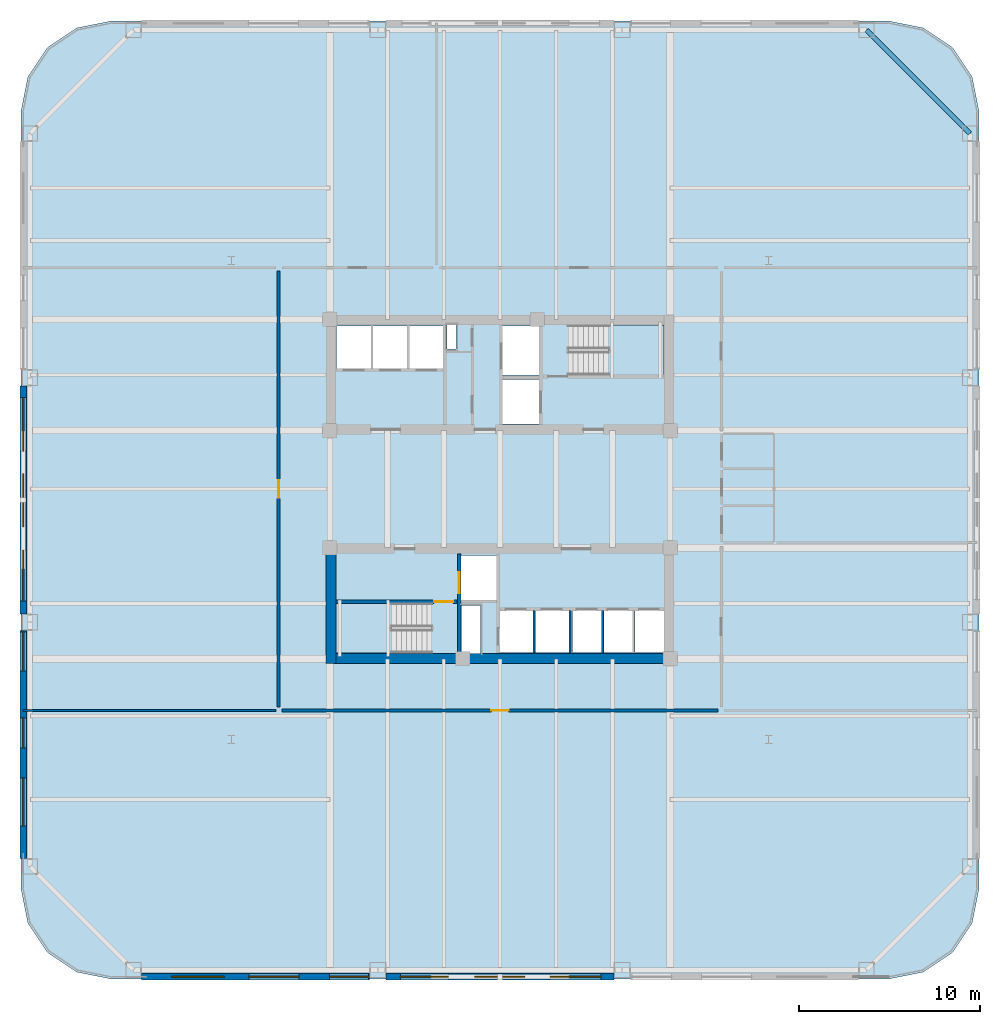
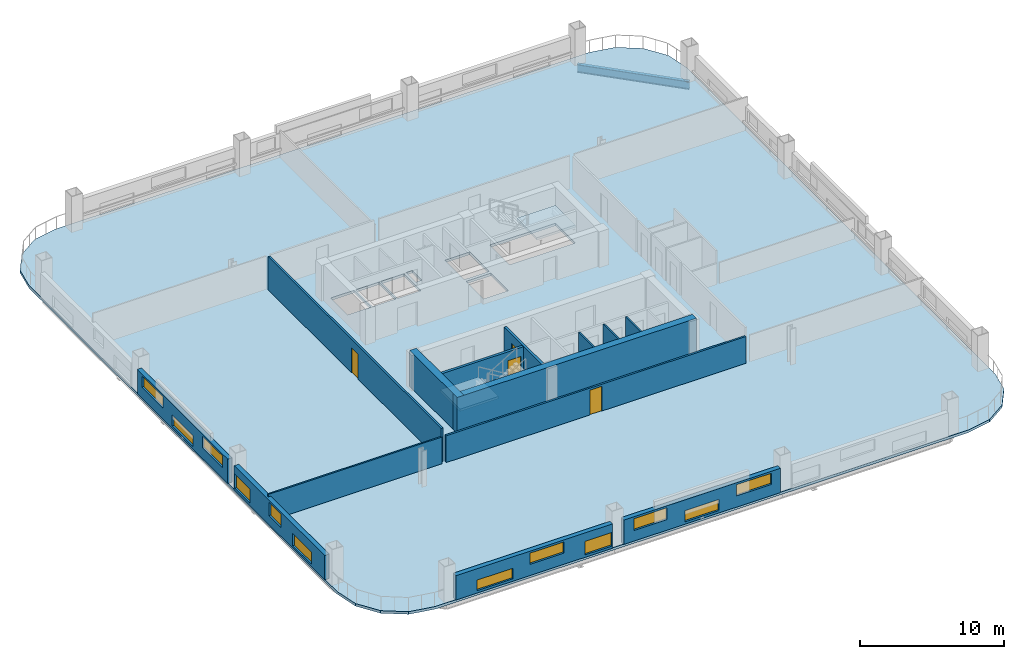
# One storey, part 2 of 11: 14 walls, 12 windows, 4 doors, 3 slabs, 1 beam, 16 openings, 2 elements without a shape of their own.
"""IFC4 building model written with IfcOpenShell, lengths in metres."""

from ifc_helpers import new_model, si_unit, direction, frame, frame_2d, origin, origin_2d, place, context, subcontext, project, spatial, polyline, rectangle, i_section, outline, extrude, material, layer, layer_set, material_profile, profile_set, type_object, element, fill, aggregate, save


model = new_model("IFC4")

# Units and contexts
model_context = context("Model", 3, precision=1e-05, world=origin(), true_north=direction((0.0, 1.0)))
body_context = subcontext(model_context, "Body", "Model", "MODEL_VIEW")
ifc_project = project(units=[si_unit("LENGTHUNIT", "METRE"), si_unit("AREAUNIT", "SQUARE_METRE"), si_unit("VOLUMEUNIT", "CUBIC_METRE"), si_unit("PLANEANGLEUNIT", "RADIAN"), si_unit("MASSUNIT", "GRAM", prefix="KILO")], contexts=[model_context])

# Site, building, storey
site_placement = place(None, origin())
site = spatial("IfcSite", under=ifc_project, at=site_placement, CompositionType="ELEMENT")
building_placement = place(site_placement, origin())
building = spatial("IfcBuilding", under=site, at=building_placement, Name="Qhalaya Broadcast Tower", CompositionType="ELEMENT")
storey_placement = place(building_placement, frame((0.0, 0.0, 29.14990234375)))
storey = spatial("IfcBuildingStorey", under=building, at=storey_placement, Name="L07", CompositionType="ELEMENT", Elevation=29.14990234375)

# Beam
ifc_material_1 = material(Name="Structural Steel ASTM A992 Grade 50", Category="steel")
ifc_material_profile = material_profile(ifc_material_1, i_section(OverallWidth=0.25390625, OverallDepth=0.68310546875, WebThickness=0.012451171875, FlangeThickness=0.01904296875, at=origin_2d()), Name="W27X94")
ifc_profile_set = profile_set([ifc_material_profile], Name="Structural Steel ASTM A992 Grade 50")
beam_type = type_object("IfcBeamType", Name="Perimeter Ring Spandrel Beam SP1", PredefinedType="SPANDREL", material=ifc_profile_set)
beam_placement = place(storey_placement, frame((25.89990234375, 20.199951171875, -0.5615234375), z_axis=(-0.707106781187, 0.707106781187, 0.0), x_axis=(-0.707106781187, -0.707106781187, 0.0)))
element("IfcBeam", 1, at=beam_placement, inside=storey, type_object=beam_type, Name="L07 SP1 L07-SPR-08", PredefinedType="SPANDREL", context=body_context, shape_type="SweptSolid", body=[
    extrude(i_section(OverallWidth=0.25390625, OverallDepth=0.68310546875, WebThickness=0.012451171875, FlangeThickness=0.01904296875, at=origin_2d()), origin(), (0.0, 0.0, 1.0), 8.06103515625),
])

# Stair, slab
ifc_material_2 = material(Name="Concrete C40/50", Category="concrete")
stair_type = type_object("IfcStairType", Name="Protected Dogleg Core Stair 3150", PredefinedType="TWO_STRAIGHT_RUN_STAIR", material=ifc_material_2)
stair_1_placement = place(storey_placement, origin())
stair_1 = element("IfcStair", 2, at=stair_1_placement, inside=storey, type_object=stair_type, Name="L07 North Core Exit Stair ST-1", PredefinedType="TWO_STRAIGHT_RUN_STAIR")
ifc_layer_1 = layer(ifc_material_2, 0.199951171875, Name="Concrete C40/50")
ifc_layer_set_1 = layer_set([ifc_layer_1], Name="Concrete C40/50")
slab_type_1 = type_object("IfcSlabType", Name="Stair & Ramp Half-Landing Slab 200", PredefinedType="LANDING", material=ifc_layer_set_1)
slab_1_placement = place(storey_placement, frame((0.0, 0.0, 1.3251953125)))
slab_1 = element("IfcSlab", 3, at=slab_1_placement, type_object=slab_type_1, Name="ST-1 landing 1", PredefinedType="LANDING", context=body_context, shape_type="SweptSolid", body=[
    extrude(outline(polyline([(5.955078125, 6.8798828125), (9.050048828125, 6.8798828125), (9.050048828125, 9.639892578125), (5.955078125, 9.639892578125), (5.955078125, 6.8798828125)])), origin(), (0.0, 0.0, 1.0), 0.199951171875),
])
aggregate(stair_1, [slab_1])

stair_2_placement = place(storey_placement, origin())
stair_2 = element("IfcStair", 4, at=stair_2_placement, inside=storey, type_object=stair_type, Name="L07 South Core Exit Stair ST-2", PredefinedType="TWO_STRAIGHT_RUN_STAIR")
slab_2_placement = place(storey_placement, frame((0.0, 0.0, 1.3251953125)))
slab_2 = element("IfcSlab", 5, at=slab_2_placement, type_object=slab_type_1, Name="ST-2 landing 1", PredefinedType="LANDING", context=body_context, shape_type="SweptSolid", body=[
    extrude(outline(polyline([(-5.955078125, -5.679931640625), (-9.050048828125, -5.679931640625), (-9.050048828125, -8.43994140625), (-5.955078125, -8.43994140625), (-5.955078125, -5.679931640625)])), origin(), (0.0, 0.0, 1.0), 0.199951171875),
])
aggregate(stair_2, [slab_2])

# Slab
ifc_layer_2 = layer(ifc_material_2, 0.219970703125, Name="Concrete C40/50")
ifc_layer_set_2 = layer_set([ifc_layer_2], Name="Concrete C40/50")
slab_type_2 = type_object("IfcSlabType", Name="Tower Composite Floor Slab 220", PredefinedType="FLOOR", material=ifc_layer_set_2)
slab_3_placement = place(storey_placement, frame((0.0, 0.0, -0.219970703125)))
element("IfcSlab", 6, at=slab_3_placement, inside=storey, type_object=slab_type_2, Name="L07 Main Structural Floor Slab", PredefinedType="FLOOR", context=body_context, shape_type="SweptSolid", body=[
    extrude(outline(polyline([(21.39990234375, -26.39990234375), (23.3134765625, -26.019287109375), (24.935546875, -24.935546875), (26.019287109375, -23.3134765625), (26.39990234375, -21.39990234375), (26.39990234375, 21.39990234375), (26.019287109375, 23.3134765625), (24.935546875, 24.935546875), (23.3134765625, 26.019287109375), (21.39990234375, 26.39990234375), (-21.39990234375, 26.39990234375), (-23.3134765625, 26.019287109375), (-24.935546875, 24.935546875), (-26.019287109375, 23.3134765625), (-26.39990234375, 21.39990234375), (-26.39990234375, -21.39990234375), (-26.019287109375, -23.3134765625), (-24.935546875, -24.935546875), (-23.3134765625, -26.019287109375), (-21.39990234375, -26.39990234375), (21.39990234375, -26.39990234375)]), holes=[polyline([(3.784912109375, 9.639892578125), (9.050048828125, 9.639892578125), (9.050048828125, 6.8798828125), (3.784912109375, 6.8798828125), (3.784912109375, 9.639892578125)]), polyline([(-3.784912109375, -8.43994140625), (-9.050048828125, -8.43994140625), (-9.050048828125, -5.679931640625), (-3.784912109375, -5.679931640625), (-3.784912109375, -8.43994140625)]), polyline([(0.14990234375, 6.64990234375), (2.14990234375, 6.64990234375), (2.14990234375, 4.199951171875), (0.14990234375, 4.199951171875), (0.14990234375, 6.64990234375)]), polyline([(0.14990234375, 9.60009765625), (2.14990234375, 9.60009765625), (2.14990234375, 6.89990234375), (0.14990234375, 6.89990234375), (0.14990234375, 9.60009765625)]), polyline([(-2.14990234375, -3.050048828125), (-0.14990234375, -3.050048828125), (-0.14990234375, -5.5), (-2.14990234375, -5.5), (-2.14990234375, -3.050048828125)]), polyline([(-9.0, 9.60009765625), (-7.1201171875, 9.60009765625), (-7.1201171875, 7.25), (-9.0, 7.25), (-9.0, 9.60009765625)]), polyline([(-7.0, 9.60009765625), (-5.1201171875, 9.60009765625), (-5.1201171875, 7.25), (-7.0, 7.25), (-7.0, 9.60009765625)]), polyline([(-5.0, 9.60009765625), (-3.1201171875, 9.60009765625), (-3.1201171875, 7.25), (-5.0, 7.25), (-5.0, 9.60009765625)]), polyline([(-0.050048828125, -6.10009765625), (1.830078125, -6.10009765625), (1.830078125, -8.39990234375), (-0.050048828125, -8.39990234375), (-0.050048828125, -6.10009765625)]), polyline([(1.949951171875, -6.10009765625), (3.830078125, -6.10009765625), (3.830078125, -8.39990234375), (1.949951171875, -8.39990234375), (1.949951171875, -6.10009765625)]), polyline([(4.0, -6.10009765625), (5.60009765625, -6.10009765625), (5.60009765625, -8.39990234375), (4.0, -8.39990234375), (4.0, -6.10009765625)]), polyline([(5.719970703125, -6.10009765625), (7.320068359375, -6.10009765625), (7.320068359375, -8.39990234375), (5.719970703125, -8.39990234375), (5.719970703125, -6.10009765625)]), polyline([(7.43994140625, -6.10009765625), (9.0400390625, -6.10009765625), (9.0400390625, -8.39990234375), (7.43994140625, -8.39990234375), (7.43994140625, -6.10009765625)]), polyline([(-2.919921875, 9.659912109375), (-2.419921875, 9.659912109375), (-2.419921875, 8.320068359375), (-2.919921875, 8.320068359375), (-2.919921875, 9.659912109375)]), polyline([(-2.1201171875, -5.820068359375), (-1.080078125, -5.820068359375), (-1.080078125, -8.4599609375), (-2.1201171875, -8.4599609375), (-2.1201171875, -5.820068359375)])]), origin(), (0.0, 0.0, 1.0), 0.219970703125),
])

# Wall, opening, door
ifc_material_3 = material(Name="Gypsum Acoustic Partition")
ifc_layer_3 = layer(ifc_material_3, 0.14990234375, Name="Gypsum Acoustic Partition")
ifc_layer_set_3 = layer_set([ifc_layer_3], Name="Gypsum Acoustic Partition")
wall_type_1 = type_object("IfcWallType", Name="Corridor & Tenancy Acoustic Partition 150", PredefinedType="PARTITIONING", material=ifc_layer_set_3)
wall_1_placement = place(storey_placement, frame((-12.02001953125, -11.60009765625, 0.0), z_axis=(0.0, 0.0, 1.0), x_axis=(1.0, 0.0, 0.0)))
wall_1 = element("IfcWall", 7, at=wall_1_placement, inside=storey, type_object=wall_type_1, Name="L07 Partition Wall W-COR-03", PredefinedType="PARTITIONING", context=body_context, shape_type="SweptSolid", body=[
    extrude(rectangle(XDim=24.0400390625, YDim=0.14990234375, at=frame_2d((12.02001953125, 0.0))), origin(), (0.0, 0.0, 1.0), 2.274169921875),
])
opening_1_placement = place(wall_1_placement, frame((11.544921875, 0.0, 0.0)))
opening_1 = element("IfcOpeningElement", 8, at=opening_1_placement, cuts=wall_1, Name="Opening D10", PredefinedType="OPENING", context=body_context, shape_type="SweptSolid", body=[
    extrude(rectangle(XDim=0.949951171875, YDim=2.10009765625, at=frame_2d((0.47509765625, 1.050048828125))), frame((0.0, 0.0869140625, 0.0), z_axis=(0.0, -1.0, 0.0), x_axis=(1.0, 0.0, 0.0)), (0.0, 0.0, 1.0), 0.173828125),
])
ifc_material_4 = material(Name="Timber Veneer Acoustic Door", Category="wood")
door_type_1 = type_object("IfcDoorType", Name="Cellular Office & Edit Booth Door D10", OperationType="NOTDEFINED", PredefinedType="DOOR", material=ifc_material_4)
door_1_placement = place(opening_1_placement, origin())
door_1 = element("IfcDoor", 9, at=door_1_placement, inside=storey, type_object=door_type_1, Name="L07 Door D-RM03", OperationType="SINGLE_SWING_LEFT", OverallHeight=2.10009765625, OverallWidth=0.949951171875, PredefinedType="DOOR", context=body_context, shape_type="SweptSolid", body=[
    extrude(rectangle(XDim=0.949951171875, YDim=2.10009765625, at=frame_2d((0.47509765625, 1.050048828125))), frame((0.0, 0.02490234375, 0.0), z_axis=(0.0, -1.0, 0.0), x_axis=(1.0, 0.0, 0.0)), (0.0, 0.0, 1.0), 0.050048828125),
])
fill(opening_1, door_1)

wall_2_placement = place(storey_placement, frame((-12.199951171875, -11.419921875, 0.0), z_axis=(0.0, 0.0, 1.0), x_axis=(0.0, 1.0, 0.0)))
wall_2 = element("IfcWall", 10, at=wall_2_placement, inside=storey, type_object=wall_type_1, Name="L07 Partition Wall W-COR-04", PredefinedType="PARTITIONING", context=body_context, shape_type="SweptSolid", body=[
    extrude(rectangle(XDim=24.0400390625, YDim=0.14990234375, at=frame_2d((12.02001953125, 0.0))), origin(), (0.0, 0.0, 1.0), 2.830078125),
])
opening_2_placement = place(wall_2_placement, frame((11.544921875, 0.0, 0.0)))
opening_2 = element("IfcOpeningElement", 11, at=opening_2_placement, cuts=wall_2, Name="Opening D10", PredefinedType="OPENING", context=body_context, shape_type="SweptSolid", body=[
    extrude(rectangle(XDim=0.949951171875, YDim=2.10009765625, at=frame_2d((0.47509765625, 1.050048828125))), frame((0.0, 0.0869140625, 0.0), z_axis=(0.0, -1.0, 0.0), x_axis=(1.0, 0.0, 0.0)), (0.0, 0.0, 1.0), 0.173828125),
])
door_2_placement = place(opening_2_placement, origin())
door_2 = element("IfcDoor", 12, at=door_2_placement, inside=storey, type_object=door_type_1, Name="L07 Door D-RM04", OperationType="SINGLE_SWING_RIGHT", OverallHeight=2.10009765625, OverallWidth=0.949951171875, PredefinedType="DOOR", context=body_context, shape_type="SweptSolid", body=[
    extrude(rectangle(XDim=0.949951171875, YDim=2.10009765625, at=frame_2d((0.47509765625, 1.050048828125))), frame((0.0, 0.02490234375, 0.0), z_axis=(0.0, -1.0, 0.0), x_axis=(1.0, 0.0, 0.0)), (0.0, 0.0, 1.0), 0.050048828125),
])
fill(opening_2, door_2)

# Wall, openings, windows
ifc_material_5 = material(Name="Precast Concrete C40/50", Category="concrete")
ifc_layer_4 = layer(ifc_material_5, 0.360107421875, Name="Precast Concrete C40/50")
ifc_layer_set_4 = layer_set([ifc_layer_4], Name="Precast Concrete C40/50")
wall_type_2 = type_object("IfcWallType", Name="Insulated Precast Terracotta Exterior Wall 360", PredefinedType="SOLIDWALL", material=ifc_layer_set_4)
wall_3_placement = place(storey_placement, frame((6.283203125, -26.260009765625, 0.0), z_axis=(0.0, 0.0, 1.0), x_axis=(-1.0, 0.0, 0.0)))
wall_3 = element("IfcWall", 13, at=wall_3_placement, inside=storey, type_object=wall_type_2, Name="L07 Exoskeleton Diagrid Infill Wall S2", PredefinedType="SOLIDWALL", context=body_context, shape_type="SweptSolid", body=[
    extrude(rectangle(XDim=12.56640625, YDim=0.360107421875, at=frame_2d((6.283203125, 0.0))), origin(), (0.0, 0.0, 1.0), 2.067138671875),
])
opening_3_placement = place(wall_3_placement, frame((0.720947265625, 0.0, 0.949951171875)))
opening_3 = element("IfcOpeningElement", 14, at=opening_3_placement, cuts=wall_3, Name="Opening W11", PredefinedType="OPENING", context=body_context, shape_type="SweptSolid", body=[
    extrude(rectangle(XDim=2.800048828125, YDim=0.949951171875, at=frame_2d((1.39990234375, 0.47509765625))), frame((0.0, 0.192138671875, 0.0), z_axis=(0.0, -1.0, 0.0), x_axis=(1.0, 0.0, 0.0)), (0.0, 0.0, 1.0), 0.384033203125),
])
opening_4_placement = place(wall_3_placement, frame((4.9208984375, 0.0, 0.199951171875)))
opening_4 = element("IfcOpeningElement", 15, at=opening_4_placement, cuts=wall_3, Name="Opening W11", PredefinedType="OPENING", context=body_context, shape_type="SweptSolid", body=[
    extrude(rectangle(XDim=2.75, YDim=0.949951171875, at=frame_2d((1.375, 0.47509765625))), frame((0.0, 0.192138671875, 0.0), z_axis=(0.0, -1.0, 0.0), x_axis=(1.0, 0.0, 0.0)), (0.0, 0.0, 1.0), 0.384033203125),
])
opening_5_placement = place(wall_3_placement, frame((9.12109375, 0.0, 0.89990234375)))
opening_5 = element("IfcOpeningElement", 16, at=opening_5_placement, cuts=wall_3, Name="Opening W11", PredefinedType="OPENING", context=body_context, shape_type="SweptSolid", body=[
    extrude(rectangle(XDim=2.64990234375, YDim=1.0, at=frame_2d((1.324951171875, 0.5))), frame((0.0, 0.192138671875, 0.0), z_axis=(0.0, -1.0, 0.0), x_axis=(1.0, 0.0, 0.0)), (0.0, 0.0, 1.0), 0.384033203125),
])
ifc_material_6 = material(Name="Solar-Control Low-E Triple Glazing", Category="glass")
window_type = type_object("IfcWindowType", Name="Odd-Block Diagrid Infill Window W11", PartitioningType="SINGLE_PANEL", PredefinedType="WINDOW", material=ifc_material_6)
window_1_placement = place(opening_3_placement, origin())
window_1 = element("IfcWindow", 17, at=window_1_placement, inside=storey, type_object=window_type, Name="L07 Diagrid Infill Window W11-S4", OverallHeight=0.949951171875, OverallWidth=2.800048828125, PartitioningType="SINGLE_PANEL", PredefinedType="WINDOW", context=body_context, shape_type="SweptSolid", body=[
    extrude(rectangle(XDim=2.800048828125, YDim=0.949951171875, at=frame_2d((1.39990234375, 0.47509765625))), frame((0.0, 0.030029296875, 0.0), z_axis=(0.0, -1.0, 0.0), x_axis=(1.0, 0.0, 0.0)), (0.0, 0.0, 1.0), 0.06005859375),
])
fill(opening_3, window_1)
window_2_placement = place(opening_4_placement, origin())
window_2 = element("IfcWindow", 18, at=window_2_placement, inside=storey, type_object=window_type, Name="L07 Diagrid Infill Window W11-S5", OverallHeight=0.949951171875, OverallWidth=2.75, PartitioningType="SINGLE_PANEL", PredefinedType="WINDOW", context=body_context, shape_type="SweptSolid", body=[
    extrude(rectangle(XDim=2.75, YDim=0.949951171875, at=frame_2d((1.375, 0.47509765625))), frame((0.0, 0.030029296875, 0.0), z_axis=(0.0, -1.0, 0.0), x_axis=(1.0, 0.0, 0.0)), (0.0, 0.0, 1.0), 0.06005859375),
])
fill(opening_4, window_2)
window_3_placement = place(opening_5_placement, origin())
window_3 = element("IfcWindow", 19, at=window_3_placement, inside=storey, type_object=window_type, Name="L07 Diagrid Infill Window W11-S6", OverallHeight=1.0, OverallWidth=2.64990234375, PartitioningType="SINGLE_PANEL", PredefinedType="WINDOW", context=body_context, shape_type="SweptSolid", body=[
    extrude(rectangle(XDim=2.64990234375, YDim=1.0, at=frame_2d((1.324951171875, 0.5))), frame((0.0, 0.030029296875, 0.0), z_axis=(0.0, -1.0, 0.0), x_axis=(1.0, 0.0, 0.0)), (0.0, 0.0, 1.0), 0.06005859375),
])
fill(opening_5, window_3)

wall_4_placement = place(storey_placement, frame((-7.183349609375, -26.260009765625, 0.0), z_axis=(0.0, 0.0, 1.0), x_axis=(-1.0, 0.0, 0.0)))
wall_4 = element("IfcWall", 20, at=wall_4_placement, inside=storey, type_object=wall_type_2, Name="L07 Exoskeleton Diagrid Infill Wall S3", PredefinedType="SOLIDWALL", context=body_context, shape_type="SweptSolid", body=[
    extrude(rectangle(XDim=12.57861328125, YDim=0.360107421875, at=frame_2d((6.289306640625, 0.0))), origin(), (0.0, 0.0, 1.0), 2.067138671875),
])
opening_6_placement = place(wall_4_placement, frame((0.054931640625, 0.0, 0.199951171875)))
opening_6 = element("IfcOpeningElement", 21, at=opening_6_placement, cuts=wall_4, Name="Opening W11", PredefinedType="OPENING", context=body_context, shape_type="SweptSolid", body=[
    extrude(rectangle(XDim=2.14990234375, YDim=1.14990234375, at=frame_2d((1.074951171875, 0.574951171875))), frame((0.0, 0.192138671875, 0.0), z_axis=(0.0, -1.0, 0.0), x_axis=(1.0, 0.0, 0.0)), (0.0, 0.0, 1.0), 0.384033203125),
])
opening_7_placement = place(wall_4_placement, frame((3.905029296875, 0.0, 0.949951171875)))
opening_7 = element("IfcOpeningElement", 22, at=opening_7_placement, cuts=wall_4, Name="Opening W11", PredefinedType="OPENING", context=body_context, shape_type="SweptSolid", body=[
    extrude(rectangle(XDim=2.75, YDim=0.949951171875, at=frame_2d((1.375, 0.47509765625))), frame((0.0, 0.192138671875, 0.0), z_axis=(0.0, -1.0, 0.0), x_axis=(1.0, 0.0, 0.0)), (0.0, 0.0, 1.0), 0.384033203125),
])
opening_8_placement = place(wall_4_placement, frame((8.0048828125, 0.0, 0.199951171875)))
opening_8 = element("IfcOpeningElement", 23, at=opening_8_placement, cuts=wall_4, Name="Opening W11", PredefinedType="OPENING", context=body_context, shape_type="SweptSolid", body=[
    extrude(rectangle(XDim=2.89990234375, YDim=0.89990234375, at=frame_2d((1.449951171875, 0.449951171875))), frame((0.0, 0.192138671875, 0.0), z_axis=(0.0, -1.0, 0.0), x_axis=(1.0, 0.0, 0.0)), (0.0, 0.0, 1.0), 0.384033203125),
])
window_4_placement = place(opening_6_placement, origin())
window_4 = element("IfcWindow", 24, at=window_4_placement, inside=storey, type_object=window_type, Name="L07 Diagrid Infill Window W11-S7", OverallHeight=1.14990234375, OverallWidth=2.14990234375, PartitioningType="SINGLE_PANEL", PredefinedType="WINDOW", context=body_context, shape_type="SweptSolid", body=[
    extrude(rectangle(XDim=2.14990234375, YDim=1.14990234375, at=frame_2d((1.074951171875, 0.574951171875))), frame((0.0, 0.030029296875, 0.0), z_axis=(0.0, -1.0, 0.0), x_axis=(1.0, 0.0, 0.0)), (0.0, 0.0, 1.0), 0.06005859375),
])
fill(opening_6, window_4)
window_5_placement = place(opening_7_placement, origin())
window_5 = element("IfcWindow", 25, at=window_5_placement, inside=storey, type_object=window_type, Name="L07 Diagrid Infill Window W11-S8", OverallHeight=0.949951171875, OverallWidth=2.75, PartitioningType="SINGLE_PANEL", PredefinedType="WINDOW", context=body_context, shape_type="SweptSolid", body=[
    extrude(rectangle(XDim=2.75, YDim=0.949951171875, at=frame_2d((1.375, 0.47509765625))), frame((0.0, 0.030029296875, 0.0), z_axis=(0.0, -1.0, 0.0), x_axis=(1.0, 0.0, 0.0)), (0.0, 0.0, 1.0), 0.06005859375),
])
fill(opening_7, window_5)
window_6_placement = place(opening_8_placement, origin())
window_6 = element("IfcWindow", 26, at=window_6_placement, inside=storey, type_object=window_type, Name="L07 Diagrid Infill Window W11-S9", OverallHeight=0.89990234375, OverallWidth=2.89990234375, PartitioningType="SINGLE_PANEL", PredefinedType="WINDOW", context=body_context, shape_type="SweptSolid", body=[
    extrude(rectangle(XDim=2.89990234375, YDim=0.89990234375, at=frame_2d((1.449951171875, 0.449951171875))), frame((0.0, 0.030029296875, 0.0), z_axis=(0.0, -1.0, 0.0), x_axis=(1.0, 0.0, 0.0)), (0.0, 0.0, 1.0), 0.06005859375),
])
fill(opening_8, window_6)

wall_5_placement = place(storey_placement, frame((-26.260009765625, -19.761962890625, 0.0), z_axis=(0.0, 0.0, 1.0), x_axis=(0.0, 1.0, 0.0)))
wall_5 = element("IfcWall", 27, at=wall_5_placement, inside=storey, type_object=wall_type_2, Name="L07 Exoskeleton Diagrid Infill Wall W1", PredefinedType="SOLIDWALL", context=body_context, shape_type="SweptSolid", body=[
    extrude(rectangle(XDim=12.57861328125, YDim=0.360107421875, at=frame_2d((6.289306640625, 0.0))), origin(), (0.0, 0.0, 1.0), 2.067138671875),
])
opening_9_placement = place(wall_5_placement, frame((1.800048828125, 0.0, 0.199951171875)))
opening_9 = element("IfcOpeningElement", 28, at=opening_9_placement, cuts=wall_5, Name="Opening W11", PredefinedType="OPENING", context=body_context, shape_type="SweptSolid", body=[
    extrude(rectangle(XDim=2.64990234375, YDim=1.050048828125, at=frame_2d((1.324951171875, 0.52490234375))), frame((0.0, 0.192138671875, 0.0), z_axis=(0.0, -1.0, 0.0), x_axis=(1.0, 0.0, 0.0)), (0.0, 0.0, 1.0), 0.384033203125),
])
opening_10_placement = place(wall_5_placement, frame((6.10009765625, 0.0, 0.75)))
opening_10 = element("IfcOpeningElement", 29, at=opening_10_placement, cuts=wall_5, Name="Opening W11", PredefinedType="OPENING", context=body_context, shape_type="SweptSolid", body=[
    extrude(rectangle(XDim=1.64990234375, YDim=1.14990234375, at=frame_2d((0.824951171875, 0.574951171875))), frame((0.0, 0.192138671875, 0.0), z_axis=(0.0, -1.0, 0.0), x_axis=(1.0, 0.0, 0.0)), (0.0, 0.0, 1.0), 0.384033203125),
])
opening_11_placement = place(wall_5_placement, frame((10.35009765625, 0.0, 0.199951171875)))
opening_11 = element("IfcOpeningElement", 30, at=opening_11_placement, cuts=wall_5, Name="Opening W11", PredefinedType="OPENING", context=body_context, shape_type="SweptSolid", body=[
    extrude(rectangle(XDim=2.14990234375, YDim=1.199951171875, at=frame_2d((1.074951171875, 0.60009765625))), frame((0.0, 0.192138671875, 0.0), z_axis=(0.0, -1.0, 0.0), x_axis=(1.0, 0.0, 0.0)), (0.0, 0.0, 1.0), 0.384033203125),
])
window_7_placement = place(opening_9_placement, origin())
window_7 = element("IfcWindow", 31, at=window_7_placement, inside=storey, type_object=window_type, Name="L07 Diagrid Infill Window W11-W1", OverallHeight=1.050048828125, OverallWidth=2.64990234375, PartitioningType="SINGLE_PANEL", PredefinedType="WINDOW", context=body_context, shape_type="SweptSolid", body=[
    extrude(rectangle(XDim=2.64990234375, YDim=1.050048828125, at=frame_2d((1.324951171875, 0.52490234375))), frame((0.0, 0.030029296875, 0.0), z_axis=(0.0, -1.0, 0.0), x_axis=(1.0, 0.0, 0.0)), (0.0, 0.0, 1.0), 0.06005859375),
])
fill(opening_9, window_7)
window_8_placement = place(opening_10_placement, origin())
window_8 = element("IfcWindow", 32, at=window_8_placement, inside=storey, type_object=window_type, Name="L07 Diagrid Infill Window W11-W2", OverallHeight=1.14990234375, OverallWidth=1.64990234375, PartitioningType="SINGLE_PANEL", PredefinedType="WINDOW", context=body_context, shape_type="SweptSolid", body=[
    extrude(rectangle(XDim=1.64990234375, YDim=1.14990234375, at=frame_2d((0.824951171875, 0.574951171875))), frame((0.0, 0.030029296875, 0.0), z_axis=(0.0, -1.0, 0.0), x_axis=(1.0, 0.0, 0.0)), (0.0, 0.0, 1.0), 0.06005859375),
])
fill(opening_10, window_8)
window_9_placement = place(opening_11_placement, origin())
window_9 = element("IfcWindow", 33, at=window_9_placement, inside=storey, type_object=window_type, Name="L07 Diagrid Infill Window W11-W3", OverallHeight=1.199951171875, OverallWidth=2.14990234375, PartitioningType="SINGLE_PANEL", PredefinedType="WINDOW", context=body_context, shape_type="SweptSolid", body=[
    extrude(rectangle(XDim=2.14990234375, YDim=1.199951171875, at=frame_2d((1.074951171875, 0.60009765625))), frame((0.0, 0.030029296875, 0.0), z_axis=(0.0, -1.0, 0.0), x_axis=(1.0, 0.0, 0.0)), (0.0, 0.0, 1.0), 0.06005859375),
])
fill(opening_11, window_9)

wall_6_placement = place(storey_placement, frame((-26.260009765625, -6.283203125, 0.0), z_axis=(0.0, 0.0, 1.0), x_axis=(0.0, 1.0, 0.0)))
wall_6 = element("IfcWall", 34, at=wall_6_placement, inside=storey, type_object=wall_type_2, Name="L07 Exoskeleton Diagrid Infill Wall W2", PredefinedType="SOLIDWALL", context=body_context, shape_type="SweptSolid", body=[
    extrude(rectangle(XDim=12.56640625, YDim=0.360107421875, at=frame_2d((6.283203125, 0.0))), origin(), (0.0, 0.0, 1.0), 2.067138671875),
])
opening_12_placement = place(wall_6_placement, frame((0.720947265625, 0.0, 0.89990234375)))
opening_12 = element("IfcOpeningElement", 35, at=opening_12_placement, cuts=wall_6, Name="Opening W11", PredefinedType="OPENING", context=body_context, shape_type="SweptSolid", body=[
    extrude(rectangle(XDim=2.800048828125, YDim=1.0, at=frame_2d((1.39990234375, 0.5))), frame((0.0, 0.192138671875, 0.0), z_axis=(0.0, -1.0, 0.0), x_axis=(1.0, 0.0, 0.0)), (0.0, 0.0, 1.0), 0.384033203125),
])
opening_13_placement = place(wall_6_placement, frame((4.821044921875, 0.0, 0.199951171875)))
opening_13 = element("IfcOpeningElement", 36, at=opening_13_placement, cuts=wall_6, Name="Opening W11", PredefinedType="OPENING", context=body_context, shape_type="SweptSolid", body=[
    extrude(rectangle(XDim=2.89990234375, YDim=0.949951171875, at=frame_2d((1.449951171875, 0.47509765625))), frame((0.0, 0.192138671875, 0.0), z_axis=(0.0, -1.0, 0.0), x_axis=(1.0, 0.0, 0.0)), (0.0, 0.0, 1.0), 0.384033203125),
])
opening_14_placement = place(wall_6_placement, frame((8.970947265625, 0.0, 0.949951171875)))
opening_14 = element("IfcOpeningElement", 37, at=opening_14_placement, cuts=wall_6, Name="Opening W11", PredefinedType="OPENING", context=body_context, shape_type="SweptSolid", body=[
    extrude(rectangle(XDim=2.949951171875, YDim=0.949951171875, at=frame_2d((1.47509765625, 0.47509765625))), frame((0.0, 0.192138671875, 0.0), z_axis=(0.0, -1.0, 0.0), x_axis=(1.0, 0.0, 0.0)), (0.0, 0.0, 1.0), 0.384033203125),
])
window_10_placement = place(opening_12_placement, origin())
window_10 = element("IfcWindow", 38, at=window_10_placement, inside=storey, type_object=window_type, Name="L07 Diagrid Infill Window W11-W4", OverallHeight=1.0, OverallWidth=2.800048828125, PartitioningType="SINGLE_PANEL", PredefinedType="WINDOW", context=body_context, shape_type="SweptSolid", body=[
    extrude(rectangle(XDim=2.800048828125, YDim=1.0, at=frame_2d((1.39990234375, 0.5))), frame((0.0, 0.030029296875, 0.0), z_axis=(0.0, -1.0, 0.0), x_axis=(1.0, 0.0, 0.0)), (0.0, 0.0, 1.0), 0.06005859375),
])
fill(opening_12, window_10)
window_11_placement = place(opening_13_placement, origin())
window_11 = element("IfcWindow", 39, at=window_11_placement, inside=storey, type_object=window_type, Name="L07 Diagrid Infill Window W11-W5", OverallHeight=0.949951171875, OverallWidth=2.89990234375, PartitioningType="SINGLE_PANEL", PredefinedType="WINDOW", context=body_context, shape_type="SweptSolid", body=[
    extrude(rectangle(XDim=2.89990234375, YDim=0.949951171875, at=frame_2d((1.449951171875, 0.47509765625))), frame((0.0, 0.030029296875, 0.0), z_axis=(0.0, -1.0, 0.0), x_axis=(1.0, 0.0, 0.0)), (0.0, 0.0, 1.0), 0.06005859375),
])
fill(opening_13, window_11)
window_12_placement = place(opening_14_placement, origin())
window_12 = element("IfcWindow", 40, at=window_12_placement, inside=storey, type_object=window_type, Name="L07 Diagrid Infill Window W11-W6", OverallHeight=0.949951171875, OverallWidth=2.949951171875, PartitioningType="SINGLE_PANEL", PredefinedType="WINDOW", context=body_context, shape_type="SweptSolid", body=[
    extrude(rectangle(XDim=2.949951171875, YDim=0.949951171875, at=frame_2d((1.47509765625, 0.47509765625))), frame((0.0, 0.030029296875, 0.0), z_axis=(0.0, -1.0, 0.0), x_axis=(1.0, 0.0, 0.0)), (0.0, 0.0, 1.0), 0.06005859375),
])
fill(opening_14, window_12)

# Wall, opening, door
ifc_material_7 = material(Name="Concrete C50/60", Category="concrete")
ifc_layer_5 = layer(ifc_material_7, 0.199951171875, Name="Concrete C50/60")
ifc_layer_set_5 = layer_set([ifc_layer_5], Name="Concrete C50/60")
wall_type_3 = type_object("IfcWallType", Name="Load-Bearing Stair Shaft Wall 200", PredefinedType="SHEAR", material=ifc_layer_set_5)
wall_7_placement = place(storey_placement, frame((-9.030029296875, -5.60498046875, 0.0), z_axis=(0.0, 0.0, 1.0), x_axis=(1.0, 0.0, 0.0)))
wall_7 = element("IfcWall", 41, at=wall_7_placement, inside=storey, type_object=wall_type_3, Name="L07 Stair Core Shear Wall SCW-ST2", PredefinedType="SHEAR", context=body_context, shape_type="SweptSolid", body=[
    extrude(rectangle(XDim=6.669921875, YDim=0.199951171875, at=frame_2d((3.3349609375, 0.0))), origin(), (0.0, 0.0, 1.0), 2.830078125),
])
opening_15_placement = place(wall_7_placement, frame((5.39990234375, 0.0, 0.0)))
opening_15 = element("IfcOpeningElement", 42, at=opening_15_placement, cuts=wall_7, Name="Opening D03", PredefinedType="OPENING", context=body_context, shape_type="SweptSolid", body=[
    extrude(rectangle(XDim=1.050048828125, YDim=2.080078125, at=frame_2d((0.52490234375, 1.0400390625))), frame((0.0, 0.112060546875, 0.0), z_axis=(0.0, -1.0, 0.0), x_axis=(1.0, 0.0, 0.0)), (0.0, 0.0, 1.0), 0.223876953125),
])
ifc_material_8 = material(Name="Fire-Rated Steel Door", Category="steel")
door_type_2 = type_object("IfcDoorType", Name="Core Stair Protected Fire Door D03", OperationType="NOTDEFINED", PredefinedType="DOOR", material=ifc_material_8)
door_3_placement = place(opening_15_placement, origin())
door_3 = element("IfcDoor", 43, at=door_3_placement, inside=storey, type_object=door_type_2, Name="L07 Door D-SST2", OperationType="SINGLE_SWING_RIGHT", OverallHeight=2.080078125, OverallWidth=1.050048828125, PredefinedType="DOOR", context=body_context, shape_type="SweptSolid", body=[
    extrude(rectangle(XDim=1.050048828125, YDim=2.080078125, at=frame_2d((0.52490234375, 1.0400390625))), frame((0.0, 0.02490234375, 0.0), z_axis=(0.0, -1.0, 0.0), x_axis=(1.0, 0.0, 0.0)), (0.0, 0.0, 1.0), 0.050048828125),
])
fill(opening_15, door_3)

wall_8_placement = place(storey_placement, frame((-2.25, -8.429931640625, 0.0), z_axis=(0.0, 0.0, 1.0), x_axis=(0.0, 1.0, 0.0)))
wall_8 = element("IfcWall", 44, at=wall_8_placement, inside=storey, type_object=wall_type_3, Name="L07 Stair Core Shear Wall SCW-FF", PredefinedType="SHEAR", context=body_context, shape_type="SweptSolid", body=[
    extrude(rectangle(XDim=5.4599609375, YDim=0.199951171875, at=frame_2d((2.72998046875, 0.0))), origin(), (0.0, 0.0, 1.0), 2.830078125),
])
opening_16_placement = place(wall_8_placement, frame((3.300048828125, 0.0, 0.0)))
opening_16 = element("IfcOpeningElement", 45, at=opening_16_placement, cuts=wall_8, Name="Opening LD2", PredefinedType="OPENING", context=body_context, shape_type="SweptSolid", body=[
    extrude(rectangle(XDim=1.14990234375, YDim=2.080078125, at=frame_2d((0.574951171875, 1.0400390625))), frame((0.0, 0.112060546875, 0.0), z_axis=(0.0, -1.0, 0.0), x_axis=(1.0, 0.0, 0.0)), (0.0, 0.0, 1.0), 0.223876953125),
])
ifc_material_9 = material(Name="Brushed Stainless Steel Lift Door", Category="steel")
door_type_3 = type_object("IfcDoorType", Name="Firefighting Lift Sliding Landing Door LD2", OperationType="DOUBLE_DOOR_SLIDING", PredefinedType="DOOR", material=ifc_material_9)
door_4_placement = place(opening_16_placement, origin())
door_4 = element("IfcDoor", 46, at=door_4_placement, inside=storey, type_object=door_type_3, Name="L07 Door LD-FF2", OperationType="DOUBLE_DOOR_SLIDING", OverallHeight=2.080078125, OverallWidth=1.14990234375, PredefinedType="DOOR", context=body_context, shape_type="SweptSolid", body=[
    extrude(rectangle(XDim=1.14990234375, YDim=2.080078125, at=frame_2d((0.574951171875, 1.0400390625))), frame((0.0, 0.02490234375, 0.0), z_axis=(0.0, -1.0, 0.0), x_axis=(1.0, 0.0, 0.0)), (0.0, 0.0, 1.0), 0.050048828125),
])
fill(opening_16, door_4)

# Walls
ifc_material_10 = material(Name="Concrete C60/75", Category="concrete")
ifc_layer_6 = layer(ifc_material_10, 0.550048828125, Name="Concrete C60/75")
ifc_layer_set_6 = layer_set([ifc_layer_6], Name="Concrete C60/75")
wall_type_4 = type_object("IfcWallType", Name="Lower Split-Core Shear Wall 550", PredefinedType="SHEAR", material=ifc_layer_set_6)
wall_9_placement = place(storey_placement, frame((-9.60009765625, -8.72509765625, 0.0), z_axis=(0.0, 0.0, 1.0), x_axis=(1.0, 0.0, 0.0)))
element("IfcWall", 47, at=wall_9_placement, inside=storey, type_object=wall_type_4, Name="L07 Split-Core Shear Wall CW-SS", PredefinedType="SHEAR", context=body_context, shape_type="SweptSolid", body=[
    extrude(rectangle(XDim=19.2001953125, YDim=0.550048828125, at=frame_2d((9.60009765625, 0.0))), origin(), (0.0, 0.0, 1.0), 3.050048828125),
])
wall_10_placement = place(storey_placement, frame((-9.324951171875, -9.0, 0.0), z_axis=(0.0, 0.0, 1.0), x_axis=(0.0, 1.0, 0.0)))
element("IfcWall", 48, at=wall_10_placement, inside=storey, type_object=wall_type_4, Name="L07 Split-Core Shear Wall CW-SW", PredefinedType="SHEAR", context=body_context, shape_type="SweptSolid", body=[
    extrude(rectangle(XDim=6.60009765625, YDim=0.550048828125, at=frame_2d((3.300048828125, 0.0))), origin(), (0.0, 0.0, 1.0), 3.050048828125),
])
ifc_layer_7 = layer(ifc_material_3, 0.1201171875, Name="Gypsum Acoustic Partition")
ifc_layer_set_7 = layer_set([ifc_layer_7], Name="Gypsum Acoustic Partition")
wall_type_5 = type_object("IfcWallType", Name="Office, Booth & Sanitary Partition 120", PredefinedType="PARTITIONING", material=ifc_layer_set_7)
for number, where, z_axis, x_axis, name in (
    (49, (1.8798828125, -8.429931640625, 0.0), (0.0, 0.0, 1.0), (0.0, 1.0, 0.0), "L07 Partition Wall SCW-MD4"),
    (50, (3.85009765625, -8.429931640625, 0.0), (0.0, 0.0, 1.0), (0.0, 1.0, 0.0), "L07 Partition Wall SCW-MD5"),
    (51, (5.639892578125, -8.429931640625, 0.0), (0.0, 0.0, 1.0), (0.0, 1.0, 0.0), "L07 Partition Wall SCW-HD6"),
):
    element("IfcWall", number, at=place(storey_placement, frame(where, z_axis=z_axis, x_axis=x_axis)), inside=storey, type_object=wall_type_5, Name=name, PredefinedType="PARTITIONING", context=body_context, shape_type="SweptSolid", body=[
        extrude(rectangle(XDim=2.329833984375, YDim=0.1201171875, at=frame_2d((1.1650390625, 0.0))), origin(), (0.0, 0.0, 1.0), 2.830078125),
    ])
wall_11_placement = place(storey_placement, frame((-26.280029296875, -11.60009765625, 0.0), z_axis=(0.0, 0.0, 1.0), x_axis=(1.0, 0.0, 0.0)))
element("IfcWall", 52, at=wall_11_placement, inside=storey, type_object=wall_type_5, Name="L07 Partition Wall W-BNDW2", PredefinedType="PARTITIONING", context=body_context, shape_type="SweptSolid", body=[
    extrude(rectangle(XDim=13.93994140625, YDim=0.1201171875, at=frame_2d((6.969970703125, 0.0))), origin(), (0.0, 0.0, 1.0), 2.274169921875),
])

save(model, "model.ifc")
